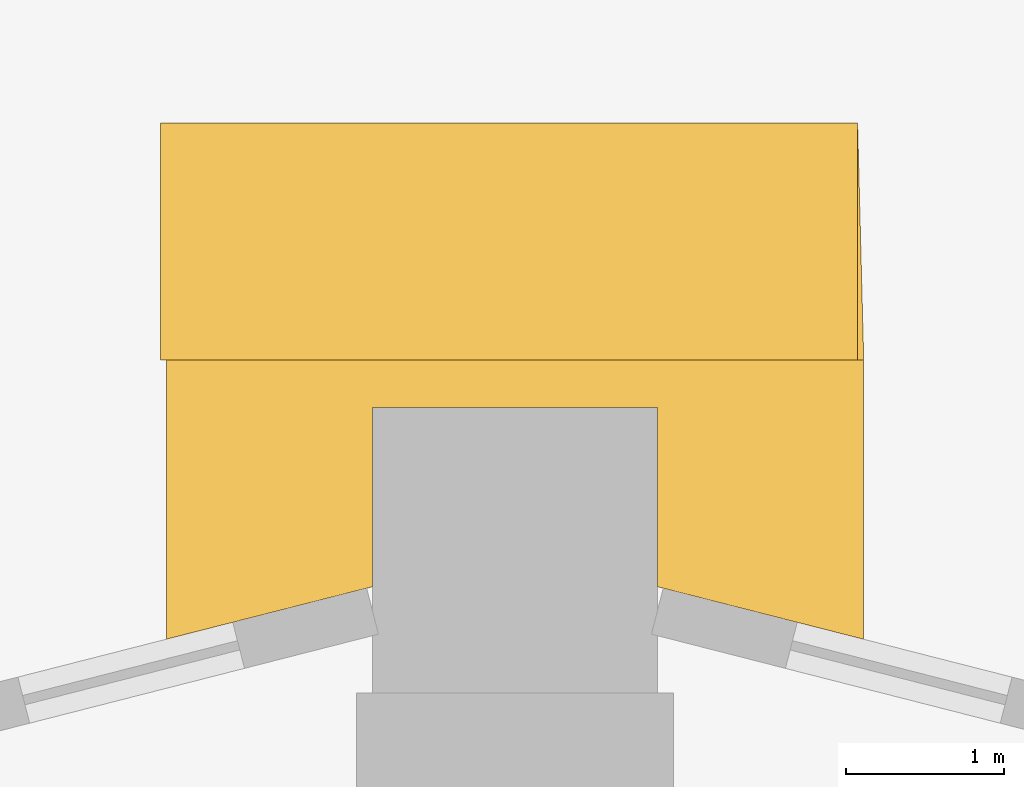
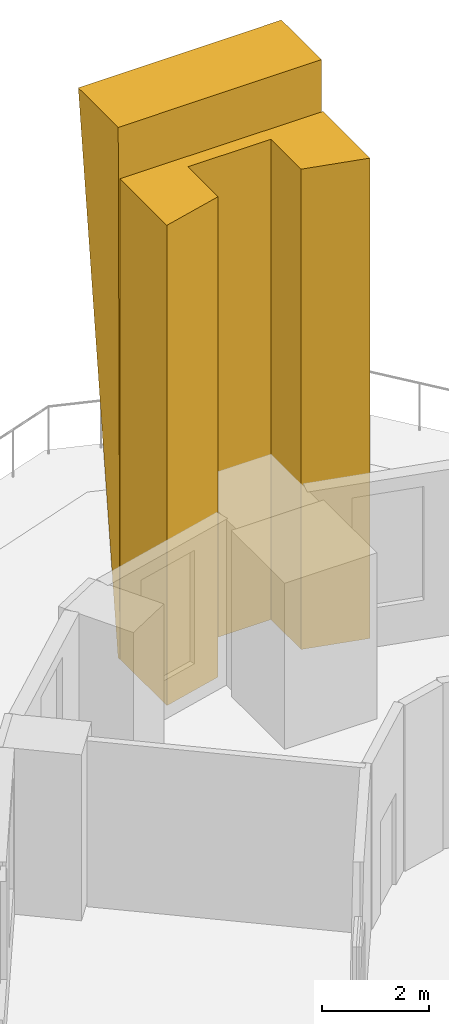
# One storey, part 16 of 16: 2 coverings.
"""IFC4 building model written with IfcOpenShell, lengths in metres."""

from ifc_helpers import new_model, si_unit, direction, frame, origin, place, context, subcontext, project, spatial, polyline, outline, extrude, material, type_object, element, save


model = new_model("IFC4")

# Units and contexts
model_context = context("Model", 3, precision=1e-05, world=origin(), true_north=direction((0.0, 1.0)))
body_context = subcontext(model_context, "Body", "Model", "MODEL_VIEW")
ifc_project = project(units=[si_unit("LENGTHUNIT", "METRE"), si_unit("AREAUNIT", "SQUARE_METRE"), si_unit("VOLUMEUNIT", "CUBIC_METRE"), si_unit("PLANEANGLEUNIT", "RADIAN"), si_unit("MASSUNIT", "GRAM", prefix="KILO")], contexts=[model_context])

# Site, building, storey
site_placement = place(None, origin())
site = spatial("IfcSite", under=ifc_project, at=site_placement, CompositionType="ELEMENT")
building_placement = place(site_placement, origin())
building = spatial("IfcBuilding", under=site, at=building_placement, Name="Entoto Arch Interchange Tower", CompositionType="ELEMENT")
storey_placement = place(building_placement, frame((0.0, 0.0, 138.199951171875)))
storey = spatial("IfcBuildingStorey", under=building, at=storey_placement, Name="L30", CompositionType="ELEMENT", Elevation=138.199951171875)

# Coverings
ifc_material = material(Name="Board-marked precast concrete C50/60", Category="concrete")
covering_type = type_object("IfcCoveringType", Name="PRECAST FRAME COURSE", PredefinedType="CLADDING", material=ifc_material)
covering_1_placement = place(storey_placement, origin())
element("IfcCovering", 1, at=covering_1_placement, inside=storey, type_object=covering_type, Name="Corner pilaster N L30-L32", PredefinedType="CLADDING", context=body_context, shape_type="SweptSolid", body=[
    extrude(outline(polyline([(-2.199951171875, 38.693115234375), (2.199951171875, 38.693115234375), (2.199951171875, 36.931884765625), (0.89990234375, 37.262939453125), (0.89990234375, 38.39306640625), (-0.89990234375, 38.39306640625), (-0.89990234375, 37.262939453125), (-2.199951171875, 36.931884765625), (-2.199951171875, 38.693115234375)])), origin(), (0.0, 0.0, 1.0), 11.0),
])
covering_2_placement = place(storey_placement, frame((2.199951171875, 38.693115234375, 0.0), z_axis=(0.999995434537, 0.0, 0.003021738821), x_axis=(0.0, 1.0, 0.0)))
element("IfcCovering", 2, at=covering_2_placement, inside=storey, type_object=covering_type, Name="Corner rib N L30-L32", PredefinedType="CLADDING", context=body_context, shape_type="SweptSolid", body=[
    extrude(outline(polyline([(0.0, 0.0), (0.06982421875, 0.0), (1.495849609375, 12.200006870557068), (0.0, 12.200006870557068), (0.0, 0.0)])), origin(), (0.0, 0.0, -1.0), 4.39990234375),
])

save(model, "model.ifc")
